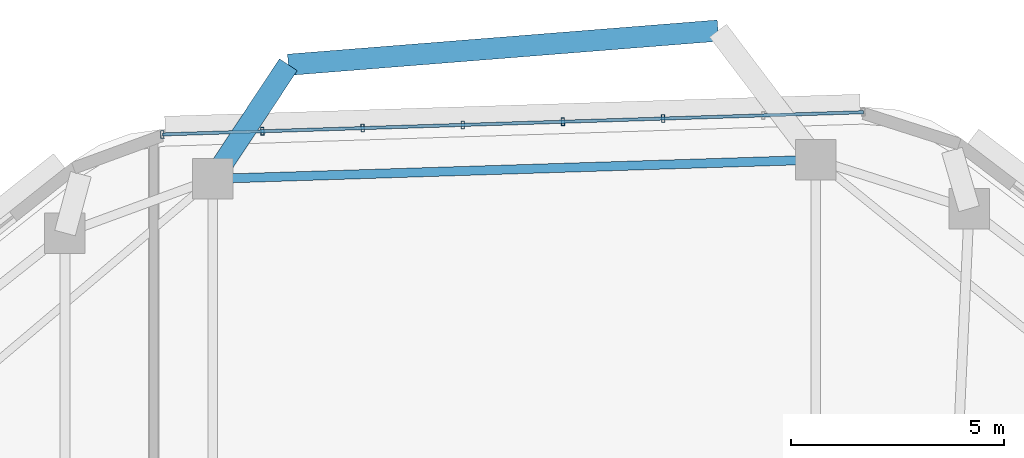
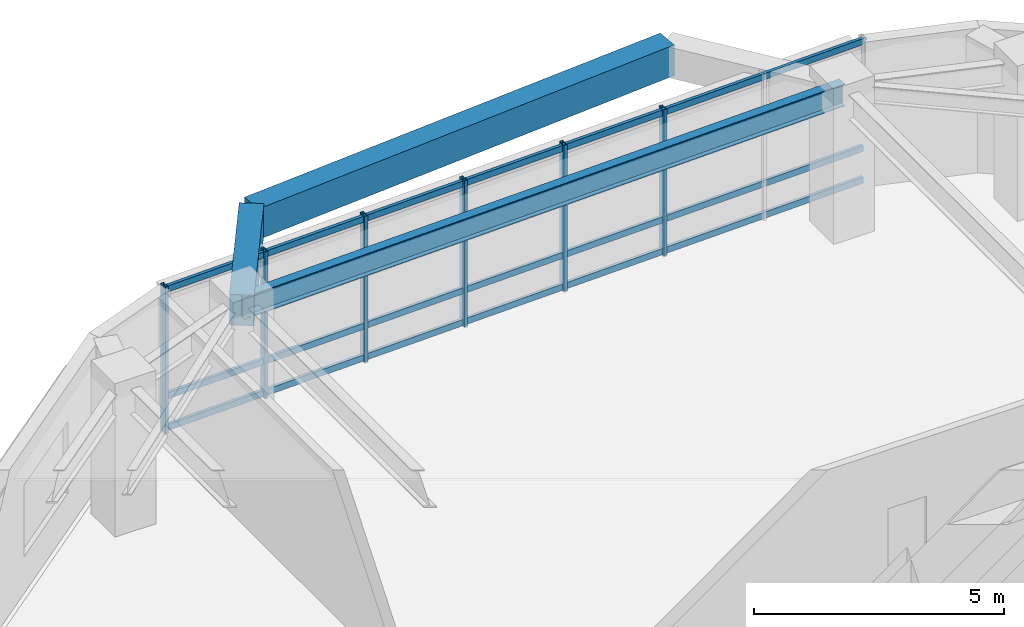
# One storey, part 2 of 12: 9 members, 3 beams, 1 element without a shape of its own.
"""IFC4 building model written with IfcOpenShell, lengths in metres."""

import ifcopenshell
import ifcopenshell.guid

model = None  # the IFC model being written
_history = None  # IfcOwnerHistory: only IFC2X3 demands one
_inside = {}  # id of a spatial element -> (the spatial element, [elements in it])
_under = {}  # id of a project, library or spatial element -> (it, [spatial elements below it])
_declared = {}  # id of a project -> (the project, [libraries it declares])
_typed = {}  # id of a type object -> (the type object, [elements of that type])
_made_of = {}  # id of a material, layer set ... -> (it, [elements and type objects made of it])


def new_model(schema):
    """Start an empty IFC model of exactly this schema.

    Asked for "IFC4X3", IfcOpenShell would pick the latest addendum, in which some entities
    have other attributes; the version numbers below select the first issue.
    IFC2X3 requires an IfcOwnerHistory on every rooted entity: one is made here for all.
    """
    global model, _history
    if schema == "IFC4X3":
        model = ifcopenshell.file(schema_version=(4, 3, 0, 0))
    else:
        model = ifcopenshell.file(schema=schema)
    _inside.clear()
    _under.clear()
    _declared.clear()
    _typed.clear()
    _made_of.clear()
    _history = None
    if model.schema == "IFC2X3":
        org = make("IfcOrganization", Name="unknown")
        user = make(
            "IfcPersonAndOrganization",
            ThePerson=make("IfcPerson", FamilyName="unknown"),
            TheOrganization=org,
        )
        app = make(
            "IfcApplication",
            ApplicationDeveloper=org,
            Version="unknown",
            ApplicationFullName="unknown",
            ApplicationIdentifier="unknown",
        )
        _history = make(
            "IfcOwnerHistory",
            OwningUser=user,
            OwningApplication=app,
            ChangeAction="ADDED",
            CreationDate=0,
        )
    return model


def make(cls, **values):
    """One entity of the class cls with the attributes given. An attribute that is None is left unset."""
    return model.create_entity(
        cls, **{name: value for name, value in values.items() if value is not None}
    )


def rooted(cls, **values):
    """An entity with a GlobalId (a new one), such as an element, a storey or a relation."""
    return make(cls, GlobalId=ifcopenshell.guid.new(), OwnerHistory=_history, **values)


def si_unit(unit_type, name, prefix=None):
    """IfcSIUnit, for example si_unit("LENGTHUNIT", "METRE", prefix="MILLI")."""
    return make("IfcSIUnit", UnitType=unit_type, Prefix=prefix, Name=name)


def assignment(units):
    """IfcUnitAssignment: the units of a project."""
    return None if units is None else make("IfcUnitAssignment", Units=units)


def point(xyz):
    """IfcCartesianPoint."""
    return None if xyz is None else make("IfcCartesianPoint", Coordinates=xyz)


def direction(xyz):
    """IfcDirection."""
    return None if xyz is None else make("IfcDirection", DirectionRatios=xyz)


def frame(location, z_axis=None, x_axis=None):
    """IfcAxis2Placement3D, a coordinate frame: its origin and axes. An axis left out is left unset."""
    return make(
        "IfcAxis2Placement3D",
        Location=point(location),
        Axis=direction(z_axis),
        RefDirection=direction(x_axis),
    )


def frame_2d(location, x_axis=None):
    """IfcAxis2Placement2D, a coordinate frame in the plane: its origin and x axis."""
    return make(
        "IfcAxis2Placement2D", Location=point(location), RefDirection=direction(x_axis)
    )


def origin():
    """The frame at (0, 0, 0) with its axes left unset."""
    return frame((0.0, 0.0, 0.0))


def origin_2d():
    """The frame at (0, 0) in the plane with its x axis left unset."""
    return frame_2d((0.0, 0.0))


def place(relative_to, where):
    """IfcLocalPlacement: puts the frame where relative to a parent placement (None: the world)."""
    return make(
        "IfcLocalPlacement", PlacementRelTo=relative_to, RelativePlacement=where
    )


def context(
    kind, dimensions, precision=None, world=None, true_north=None, identifier=None
):
    """IfcGeometricRepresentationContext, for example the 3D "Model" context."""
    return make(
        "IfcGeometricRepresentationContext",
        ContextIdentifier=identifier,
        ContextType=kind,
        CoordinateSpaceDimension=dimensions,
        Precision=precision,
        WorldCoordinateSystem=world,
        TrueNorth=true_north,
    )


def subcontext(parent, identifier, kind, view, scale=None):
    """IfcGeometricRepresentationSubContext, for example "Body" below "Model"."""
    return make(
        "IfcGeometricRepresentationSubContext",
        ContextIdentifier=identifier,
        ContextType=kind,
        ParentContext=parent,
        TargetScale=scale,
        TargetView=view,
    )


def project(units=None, contexts=None):
    """IfcProject with its units and contexts."""
    return rooted(
        "IfcProject",
        Name="project",
        RepresentationContexts=contexts,
        UnitsInContext=assignment(units),
    )


def spatial(cls, under=None, at=None, **own):
    """A site, building, storey or space (cls), placed at a placement, below another one or the project."""
    s = rooted(cls, ObjectPlacement=at, **own)
    if under is not None:
        _under.setdefault(under.id(), (under, []))[1].append(s)
    return s


def profile(cls, at=None, kind="AREA", **sizes):
    """A parametric profile (cls). Its sizes go by their IFC names, for example OverallWidth=200.0."""
    return make(cls, ProfileType=kind, Position=at, **sizes)


def rectangle(**sizes):
    """IfcRectangleProfileDef."""
    return profile("IfcRectangleProfileDef", **sizes)


def hollow_rectangle(**sizes):
    """IfcRectangleHollowProfileDef."""
    return profile("IfcRectangleHollowProfileDef", **sizes)


def i_section(**sizes):
    """IfcIShapeProfileDef."""
    return profile("IfcIShapeProfileDef", **sizes)


def extrude(swept, where, along, depth):
    """IfcExtrudedAreaSolid: the profile swept, set in the frame where, extruded along a direction by depth."""
    return make(
        "IfcExtrudedAreaSolid",
        SweptArea=swept,
        Position=where,
        ExtrudedDirection=direction(along),
        Depth=depth,
    )


def shape(context_of_items, identifier, shape_type, items):
    """IfcShapeRepresentation: the items that make up one representation, for example the "Body"."""
    return make(
        "IfcShapeRepresentation",
        ContextOfItems=context_of_items,
        RepresentationIdentifier=identifier,
        RepresentationType=shape_type,
        Items=items,
    )


def material(Name=None, Category=None):
    """IfcMaterial."""
    return make("IfcMaterial", Name=Name, Category=Category)


def material_profile(
    of_material, cross_section, Name=None, Category=None, Priority=None
):
    """IfcMaterialProfile: a cross section and its material."""
    return make(
        "IfcMaterialProfile",
        Name=Name,
        Material=of_material,
        Profile=cross_section,
        Priority=Priority,
        Category=Category,
    )


def profile_set(profiles, Name=None, composite=None):
    """IfcMaterialProfileSet."""
    return make(
        "IfcMaterialProfileSet",
        Name=Name,
        MaterialProfiles=profiles,
        CompositeProfile=composite,
    )


def made_of(thing, what):
    """Note that an element or type object is made of a material, layer set ...; save() writes the relation."""
    if what is not None:
        _made_of.setdefault(what.id(), (what, []))[1].append(thing)
    return thing


def type_object(cls, material=None, **own):
    """A type object (cls), such as IfcWallType, which elements share."""
    return made_of(rooted(cls, **own), material)


def element(
    cls,
    number,
    at=None,
    inside=None,
    cuts=None,
    type_object=None,
    material=None,
    context=None,
    identifier="Body",
    shape_type=None,
    held_by="IfcProductDefinitionShape",
    body=None,
    shapes=None,
    **own,
):
    """One element of the class cls, such as IfcWall. Its Tag is "e" and its number.

    at: its placement. inside: the storey or other place that contains it. cuts: it is an
    opening in that element (IfcRelVoidsElement). A single representation is given by context,
    identifier, shape_type and body (its items); several are given by shapes. held_by: the class
    of the entity that holds the representations. save() writes the other relations.
    """
    e = rooted(cls, Tag="e%d" % number, ObjectPlacement=at, **own)
    if body is not None:
        shapes = [shape(context, identifier, shape_type, body)]
    if shapes is not None:
        e.Representation = make(held_by, Representations=shapes)
    if inside is not None:
        _inside.setdefault(inside.id(), (inside, []))[1].append(e)
    if cuts is not None:
        rooted(
            "IfcRelVoidsElement", RelatingBuildingElement=cuts, RelatedOpeningElement=e
        )
    if type_object is not None:
        _typed.setdefault(type_object.id(), (type_object, []))[1].append(e)
    return made_of(e, material)


def aggregate(whole, parts):
    """IfcRelAggregates: a whole, such as a stair, and the parts it consists of."""
    return rooted("IfcRelAggregates", RelatingObject=whole, RelatedObjects=parts)


def save(model, path):
    """Write the relations noted so far, then the file.

    IfcRelAggregates (storeys below a building ...), IfcRelContainedInSpatialStructure (elements
    in a storey), IfcRelDefinesByType, IfcRelAssociatesMaterial and IfcRelDeclares: one each for
    every whole, place, type object, material and project.
    """
    for whole, parts in _under.values():
        aggregate(whole, parts)
    for where, things in _inside.values():
        rooted(
            "IfcRelContainedInSpatialStructure",
            RelatedElements=things,
            RelatingStructure=where,
        )
    for kind, things in _typed.values():
        rooted("IfcRelDefinesByType", RelatedObjects=things, RelatingType=kind)
    for what, things in _made_of.values():
        rooted("IfcRelAssociatesMaterial", RelatedObjects=things, RelatingMaterial=what)
    for by, libraries in _declared.values():
        rooted("IfcRelDeclares", RelatingContext=by, RelatedDefinitions=libraries)
    model.write(path)


model = new_model("IFC4")

# Units and contexts
model_context = context("Model", 3, precision=1e-05, world=origin(), true_north=direction((0.0, 1.0)))
body_context = subcontext(model_context, "Body", "Model", "MODEL_VIEW")
ifc_project = project(units=[si_unit("LENGTHUNIT", "METRE"), si_unit("AREAUNIT", "SQUARE_METRE"), si_unit("VOLUMEUNIT", "CUBIC_METRE"), si_unit("PLANEANGLEUNIT", "RADIAN"), si_unit("MASSUNIT", "GRAM", prefix="KILO")], contexts=[model_context])

# Site, building, storey
site_placement = place(None, origin())
site = spatial("IfcSite", under=ifc_project, at=site_placement, CompositionType="ELEMENT")
building_placement = place(site_placement, origin())
building = spatial("IfcBuilding", under=site, at=building_placement, Name="Zulverin Broadcast Headquarters", CompositionType="ELEMENT")
storey_placement = place(building_placement, frame((0.0, 0.0, 170.60009765625)))
storey = spatial("IfcBuildingStorey", under=building, at=storey_placement, Name="L43", CompositionType="ELEMENT", Elevation=170.60009765625)

# Beams
ifc_material_1 = material(Name="Concrete C40/50", Category="concrete")
ifc_material_profile_1 = material_profile(ifc_material_1, rectangle(XDim=0.5, YDim=0.75, at=origin_2d()), Name="Concrete C40/50", Category="concrete")
ifc_profile_set_1 = profile_set([ifc_material_profile_1], Name="Concrete C40/50")
beam_type_1 = type_object("IfcBeamType", Name="BM-RC-500x750", PredefinedType="BEAM", material=ifc_profile_set_1)
beam_1_placement = place(storey_placement, frame((30.882080078125, 46.27490234375, 3.164794921875), z_axis=(0.552048058938, 0.833812293399, 0.0), x_axis=(-0.833812293399, 0.552048058938, 0.0)))
element("IfcBeam", 1, at=beam_1_placement, inside=storey, type_object=beam_type_1, Name="L44 Balcony Column-Framed Cantilever BAL_N-2", PredefinedType="BEAM", context=body_context, shape_type="SweptSolid", body=[
    extrude(rectangle(XDim=0.5, YDim=0.75, at=origin_2d()), origin(), (0.0, 0.0, 1.0), 3.211181640625),
])
beam_2_placement = place(storey_placement, frame((42.7333984375, 49.7529296875, 3.164794921875), z_axis=(-0.996860342167, -0.07917991042, 0.0), x_axis=(0.07917991042, -0.996860342167, 0.0)))
element("IfcBeam", 2, at=beam_2_placement, inside=storey, type_object=beam_type_1, Name="L44 Balcony Outer Edge Trimmer Beam BAL_N", PredefinedType="BEAM", context=body_context, shape_type="SweptSolid", body=[
    extrude(rectangle(XDim=0.5, YDim=0.75, at=origin_2d()), origin(), (0.0, 0.0, 1.0), 10.1103515625),
])
ifc_material_2 = material(Name="Structural steel S355JR", Category="steel")
ifc_material_profile_2 = material_profile(ifc_material_2, i_section(OverallWidth=0.2119140625, OverallDepth=0.54443359375, WebThickness=0.0126953125, FlangeThickness=0.021240234375, at=origin_2d()), Name="Structural steel S355JR", Category="steel")
ifc_profile_set_2 = profile_set([ifc_material_profile_2], Name="Structural steel S355JR")
beam_type_2 = type_object("IfcBeamType", Name="BM-UB-533", PredefinedType="SPANDREL", material=ifc_profile_set_2)
beam_3_placement = place(storey_placement, frame((45.027587890625, 46.7236328125, 3.267578125), z_axis=(-0.999497221833, -0.031706522156, 0.0), x_axis=(0.031706522156, -0.999497221833, 0.0)))
element("IfcBeam", 3, at=beam_3_placement, inside=storey, type_object=beam_type_2, Name="L43 Perimeter Spandrel Beam SP-09", PredefinedType="SPANDREL", context=body_context, shape_type="SweptSolid", body=[
    extrude(i_section(OverallWidth=0.2119140625, OverallDepth=0.54443359375, WebThickness=0.0126953125, FlangeThickness=0.021240234375, at=origin_2d()), origin(), (0.0, 0.0, 1.0), 14.152587890625),
])

# Curtain wall, members
ifc_material_3 = material(Name="Waist wind-pressure unitised curtain wall", Category="aluminium")
curtain_wall_type = type_object("IfcCurtainWallType", Name="CW-TWR-WST", PredefinedType="USERDEFINED", material=ifc_material_3)
curtain_wall_placement = place(storey_placement, origin())
curtain_wall = element("IfcCurtainWall", 4, at=curtain_wall_placement, inside=storey, type_object=curtain_wall_type, Name="L43 Unitised Curtain Wall CW-L43-E5", ObjectType="UNITISED CURTAIN WALL", PredefinedType="USERDEFINED")
ifc_material_4 = material(Name="Anodized pale-metal aluminium alloy 6063-T6", Category="aluminium")
ifc_material_profile_3 = material_profile(ifc_material_4, hollow_rectangle(XDim=0.074951171875, YDim=0.179931640625, WallThickness=0.0048828125, at=origin_2d()), Name="Anodized pale-metal aluminium alloy 6063-T6", Category="aluminium")
ifc_profile_set_3 = profile_set([ifc_material_profile_3], Name="Anodized pale-metal aluminium alloy 6063-T6")
member_type_1 = type_object("IfcMemberType", Name="CW-MUL-180", PredefinedType="MULLION", material=ifc_profile_set_3)
member_1_placement = place(storey_placement, frame((41.4443359375, 47.6904296875, -0.030029296875), z_axis=(0.0, 0.0, 1.0), x_axis=(-0.999497141269, -0.031709061709, 0.0)))
member_1 = element("IfcMember", 5, at=member_1_placement, type_object=member_type_1, Name="CW-L43-E5 Mullion 02", PredefinedType="MULLION", context=body_context, shape_type="SweptSolid", body=[
    extrude(hollow_rectangle(XDim=0.074951171875, YDim=0.179931640625, WallThickness=0.0048828125, at=origin_2d()), origin(), (0.0, 0.0, 1.0), 3.599853515625),
])
member_2_placement = place(storey_placement, frame((39.09521484375, 47.615966796875, -0.030029296875), z_axis=(0.0, 0.0, 1.0), x_axis=(-0.999497141269, -0.031709061709, 0.0)))
member_2 = element("IfcMember", 6, at=member_2_placement, type_object=member_type_1, Name="CW-L43-E5 Mullion 03", PredefinedType="MULLION", context=body_context, shape_type="SweptSolid", body=[
    extrude(hollow_rectangle(XDim=0.074951171875, YDim=0.179931640625, WallThickness=0.0048828125, at=origin_2d()), origin(), (0.0, 0.0, 1.0), 3.599853515625),
])
member_3_placement = place(storey_placement, frame((36.74609375, 47.54150390625, -0.030029296875), z_axis=(0.0, 0.0, 1.0), x_axis=(-0.999497141269, -0.031709061709, 0.0)))
member_3 = element("IfcMember", 7, at=member_3_placement, type_object=member_type_1, Name="CW-L43-E5 Mullion 04", PredefinedType="MULLION", context=body_context, shape_type="SweptSolid", body=[
    extrude(hollow_rectangle(XDim=0.074951171875, YDim=0.179931640625, WallThickness=0.0048828125, at=origin_2d()), origin(), (0.0, 0.0, 1.0), 3.599853515625),
])
member_4_placement = place(storey_placement, frame((34.396728515625, 47.466796875, -0.030029296875), z_axis=(0.0, 0.0, 1.0), x_axis=(-0.999497141269, -0.031709061709, 0.0)))
member_4 = element("IfcMember", 8, at=member_4_placement, type_object=member_type_1, Name="CW-L43-E5 Mullion 05", PredefinedType="MULLION", context=body_context, shape_type="SweptSolid", body=[
    extrude(hollow_rectangle(XDim=0.074951171875, YDim=0.179931640625, WallThickness=0.0048828125, at=origin_2d()), origin(), (0.0, 0.0, 1.0), 3.599853515625),
])
member_5_placement = place(storey_placement, frame((32.047607421875, 47.392333984375, -0.030029296875), z_axis=(0.0, 0.0, 1.0), x_axis=(-0.999497141269, -0.031709061709, 0.0)))
member_5 = element("IfcMember", 9, at=member_5_placement, type_object=member_type_1, Name="CW-L43-E5 Mullion 06", PredefinedType="MULLION", context=body_context, shape_type="SweptSolid", body=[
    extrude(hollow_rectangle(XDim=0.074951171875, YDim=0.179931640625, WallThickness=0.0048828125, at=origin_2d()), origin(), (0.0, 0.0, 1.0), 3.599853515625),
])
member_6_placement = place(storey_placement, frame((29.698486328125, 47.31787109375, -0.030029296875), z_axis=(0.0, 0.0, 1.0), x_axis=(-0.999497141269, -0.031709061709, 0.0)))
member_6 = element("IfcMember", 10, at=member_6_placement, type_object=member_type_1, Name="CW-L43-E5 Mullion 07", PredefinedType="MULLION", context=body_context, shape_type="SweptSolid", body=[
    extrude(hollow_rectangle(XDim=0.074951171875, YDim=0.179931640625, WallThickness=0.0048828125, at=origin_2d()), origin(), (0.0, 0.0, 1.0), 3.599853515625),
])
ifc_material_profile_4 = material_profile(ifc_material_4, hollow_rectangle(XDim=0.074951171875, YDim=0.14990234375, WallThickness=0.0048828125, at=origin_2d()), Name="Anodized pale-metal aluminium alloy 6063-T6", Category="aluminium")
ifc_profile_set_4 = profile_set([ifc_material_profile_4], Name="Anodized pale-metal aluminium alloy 6063-T6")
member_type_2 = type_object("IfcMemberType", Name="CW-TRN-150", PredefinedType="USERDEFINED", material=ifc_profile_set_4)
member_7_placement = place(storey_placement, frame((46.142578125, 47.839599609375, 0.074951171875), z_axis=(-0.999497065256, -0.031711457627, 0.0), x_axis=(0.031711457627, -0.999497065256, 0.0)))
member_7 = element("IfcMember", 11, at=member_7_placement, type_object=member_type_2, Name="CW-L43-E5 Transom 0", ObjectType="TRANSOM", PredefinedType="USERDEFINED", context=body_context, shape_type="SweptSolid", body=[
    extrude(hollow_rectangle(XDim=0.074951171875, YDim=0.14990234375, WallThickness=0.0048828125, at=origin_2d()), origin(), (0.0, 0.0, 1.0), 16.452392578125),
])
member_8_placement = place(storey_placement, frame((46.142578125, 47.839599609375, 0.849609375), z_axis=(-0.999497065256, -0.031711457627, 0.0), x_axis=(0.031711457627, -0.999497065256, 0.0)))
member_8 = element("IfcMember", 12, at=member_8_placement, type_object=member_type_2, Name="CW-L43-E5 Transom 1", ObjectType="TRANSOM", PredefinedType="USERDEFINED", context=body_context, shape_type="SweptSolid", body=[
    extrude(hollow_rectangle(XDim=0.074951171875, YDim=0.14990234375, WallThickness=0.0048828125, at=origin_2d()), origin(), (0.0, 0.0, 1.0), 16.452392578125),
])
member_9_placement = place(storey_placement, frame((46.142578125, 47.839599609375, 3.46484375), z_axis=(-0.999497065256, -0.031711457627, 0.0), x_axis=(0.031711457627, -0.999497065256, 0.0)))
member_9 = element("IfcMember", 13, at=member_9_placement, type_object=member_type_2, Name="CW-L43-E5 Transom 2", ObjectType="TRANSOM", PredefinedType="USERDEFINED", context=body_context, shape_type="SweptSolid", body=[
    extrude(hollow_rectangle(XDim=0.074951171875, YDim=0.14990234375, WallThickness=0.0048828125, at=origin_2d()), origin(), (0.0, 0.0, 1.0), 16.452392578125),
])
aggregate(curtain_wall, [member_1, member_2, member_3, member_4, member_5, member_6, member_7, member_8, member_9])

save(model, "model.ifc")
